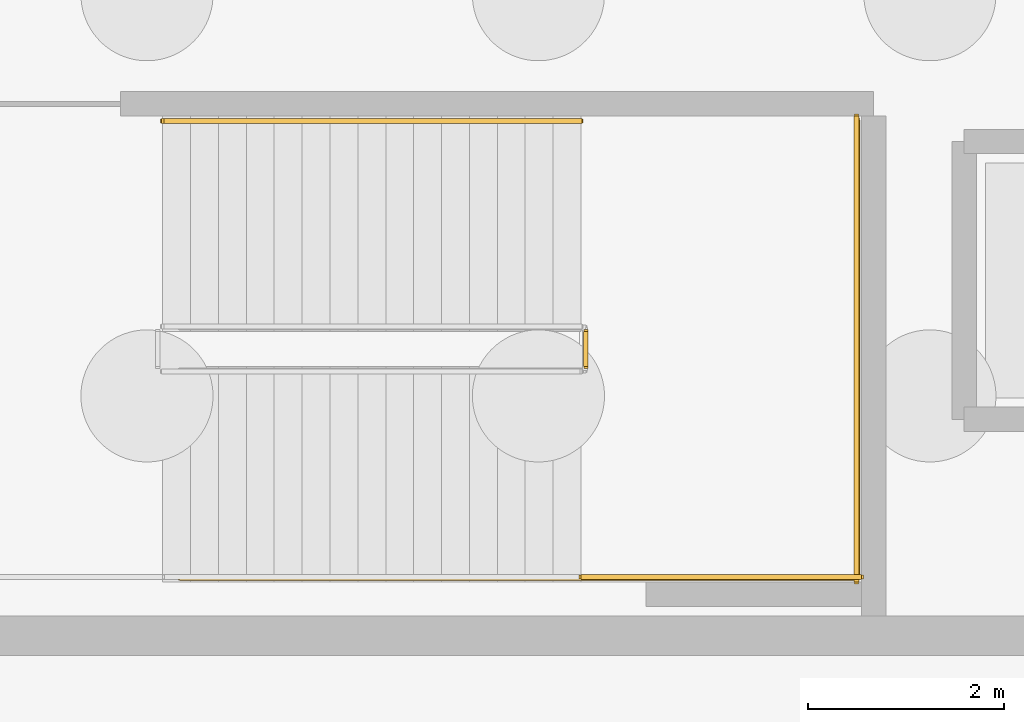
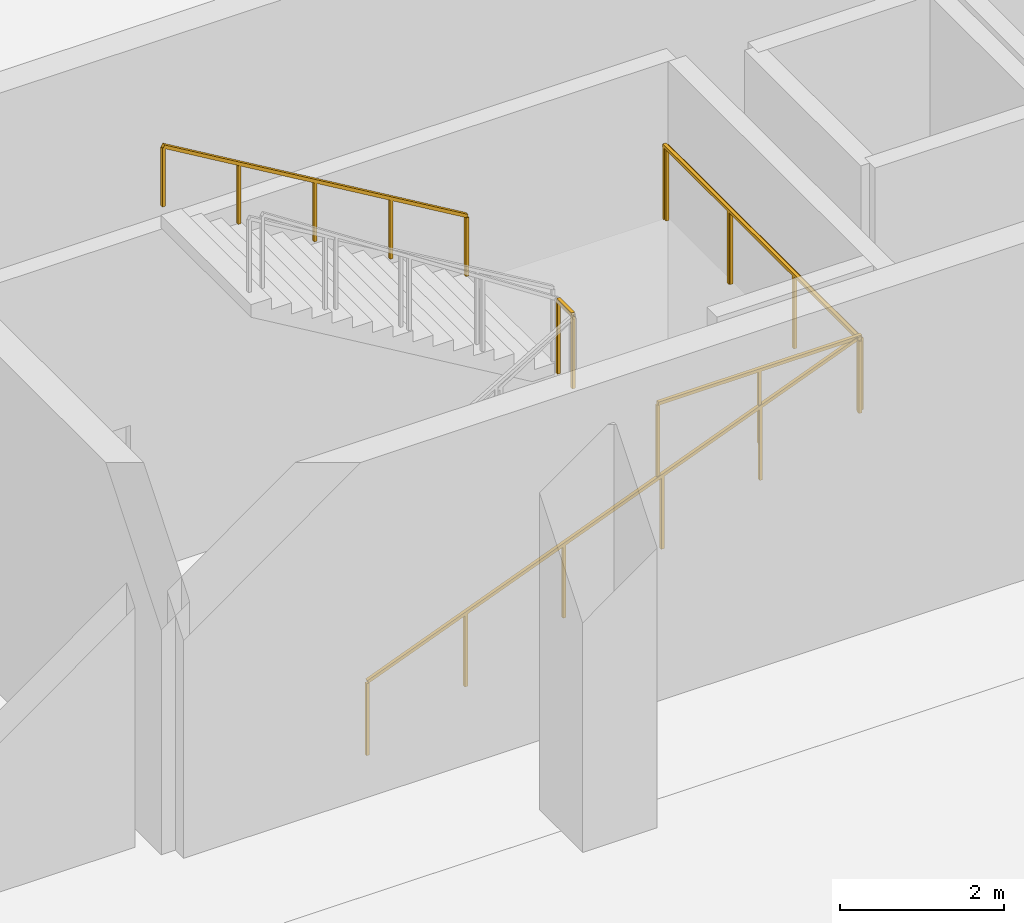
# One storey, part 62 of 65: 5 railings.
"""IFC4 building model written with IfcOpenShell, lengths in metres."""

from ifc_helpers import new_model, si_unit, direction, frame, origin, origin_2d, place, context, subcontext, project, spatial, rectangle, extrude, material, type_object, element, save


model = new_model("IFC4")

# Units and contexts
model_context = context("Model", 3, precision=1e-05, world=origin(), true_north=direction((0.0, 1.0)))
body_context = subcontext(model_context, "Body", "Model", "MODEL_VIEW")
ifc_project = project(units=[si_unit("LENGTHUNIT", "METRE"), si_unit("AREAUNIT", "SQUARE_METRE"), si_unit("VOLUMEUNIT", "CUBIC_METRE"), si_unit("PLANEANGLEUNIT", "RADIAN"), si_unit("MASSUNIT", "GRAM", prefix="KILO")], contexts=[model_context])

# Site, building, storey
site_placement = place(None, origin())
site = spatial("IfcSite", under=ifc_project, at=site_placement, CompositionType="ELEMENT")
building_placement = place(site_placement, origin())
building = spatial("IfcBuilding", under=site, at=building_placement, Name="Khorjan Park Terminus", CompositionType="ELEMENT")
storey_placement = place(building_placement, frame((0.0, 0.0, -5.4)))
storey = spatial("IfcBuildingStorey", under=building, at=storey_placement, Name="B1", CompositionType="ELEMENT", Elevation=-5.4)

# Railings
ifc_material = material(Name="Steel S355", Category="steel")
railing_type_1 = type_object("IfcRailingType", Name="GR-112", PredefinedType="GUARDRAIL", material=ifc_material)
railing_1_placement = place(storey_placement, frame((122.385, 30.75, 2.7)))
element("IfcRailing", 1, at=railing_1_placement, inside=storey, type_object=railing_type_1, Name="B1 ST-02 stair guard 2", PredefinedType="GUARDRAIL", context=body_context, shape_type="SweptSolid", body=[
    extrude(rectangle(XDim=0.048, YDim=0.048, at=origin_2d()), frame((0.0, 0.0, 1.096), z_axis=(0.0, 1.0, 0.0), x_axis=(-1.0, 0.0, 0.0)), (0.0, 0.0, 1.0), 0.36),
    extrude(rectangle(XDim=0.042, YDim=0.042, at=origin_2d()), origin(), (0.0, 0.0, 1.0), 1.072),
    extrude(rectangle(XDim=0.042, YDim=0.042, at=origin_2d()), frame((0.0, 0.36, 0.0)), (0.0, 0.0, 1.0), 1.072),
])
railing_2_placement = place(storey_placement, frame((122.335, 28.6, 2.7)))
element("IfcRailing", 2, at=railing_2_placement, inside=storey, type_object=railing_type_1, Name="B1 ST-02 stair guard 3", PredefinedType="GUARDRAIL", context=body_context, shape_type="SweptSolid", body=[
    extrude(rectangle(XDim=0.048, YDim=0.048, at=origin_2d()), frame((0.0, 0.0, 1.096), z_axis=(1.0, 0.0, 0.0), x_axis=(0.0, 1.0, 0.0)), (0.0, 0.0, 1.0), 2.865),
    extrude(rectangle(XDim=0.042, YDim=0.042, at=origin_2d()), origin(), (0.0, 0.0, 1.0), 1.072),
    extrude(rectangle(XDim=0.042, YDim=0.042, at=origin_2d()), frame((1.4325, 0.0, 0.0)), (0.0, 0.0, 1.0), 1.072),
    extrude(rectangle(XDim=0.042, YDim=0.042, at=origin_2d()), frame((2.865, 0.0, 0.0)), (0.0, 0.0, 1.0), 1.072),
])
railing_3_placement = place(storey_placement, frame((125.15, 28.55, 2.7)))
element("IfcRailing", 3, at=railing_3_placement, inside=storey, type_object=railing_type_1, Name="B1 ST-02 stair guard 4", PredefinedType="GUARDRAIL", context=body_context, shape_type="SweptSolid", body=[
    extrude(rectangle(XDim=0.048, YDim=0.048, at=origin_2d()), frame((0.0, 0.0, 1.096), z_axis=(0.0, 1.0, 0.0), x_axis=(-1.0, 0.0, 0.0)), (0.0, 0.0, 1.0), 4.76),
    extrude(rectangle(XDim=0.042, YDim=0.042, at=origin_2d()), origin(), (0.0, 0.0, 1.0), 1.072),
    extrude(rectangle(XDim=0.042, YDim=0.042, at=origin_2d()), frame((0.0, 1.5867, 0.0)), (0.0, 0.0, 1.0), 1.072),
    extrude(rectangle(XDim=0.042, YDim=0.042, at=origin_2d()), frame((0.0, 3.1733, 0.0)), (0.0, 0.0, 1.0), 1.072),
    extrude(rectangle(XDim=0.042, YDim=0.042, at=origin_2d()), frame((0.0, 4.76, 0.0)), (0.0, 0.0, 1.0), 1.072),
])
railing_4_placement = place(storey_placement, frame((118.24, 28.59, 0.0)))
element("IfcRailing", 4, at=railing_4_placement, inside=storey, type_object=railing_type_1, Name="Core K2 stair side & landing guard GR-112 (B1)", PredefinedType="GUARDRAIL", context=body_context, shape_type="SweptSolid", body=[
    extrude(rectangle(XDim=0.048, YDim=0.048, at=origin_2d()), frame((0.0, 0.0, 1.096), z_axis=(0.931599858197, 0.0, 0.363485493805), x_axis=(0.0, 1.0, 0.0)), (0.0, 0.0, 1.0), 7.4281),
    extrude(rectangle(XDim=0.048, YDim=0.048, at=origin_2d()), frame((6.92, 0.0, 3.796), z_axis=(0.0, 1.0, 0.0), x_axis=(-1.0, 0.0, 0.0)), (0.0, 0.0, 1.0), 4.68),
    extrude(rectangle(XDim=0.042, YDim=0.042, at=origin_2d()), origin(), (0.0, 0.0, 1.0), 1.072),
    extrude(rectangle(XDim=0.042, YDim=0.042, at=origin_2d()), frame((1.384, 0.0, 0.54)), (0.0, 0.0, 1.0), 1.072),
    extrude(rectangle(XDim=0.042, YDim=0.042, at=origin_2d()), frame((2.768, 0.0, 1.08)), (0.0, 0.0, 1.0), 1.072),
    extrude(rectangle(XDim=0.042, YDim=0.042, at=origin_2d()), frame((4.152, 0.0, 1.62)), (0.0, 0.0, 1.0), 1.072),
    extrude(rectangle(XDim=0.042, YDim=0.042, at=origin_2d()), frame((5.536, 0.0, 2.16)), (0.0, 0.0, 1.0), 1.072),
    extrude(rectangle(XDim=0.042, YDim=0.042, at=origin_2d()), frame((6.92, 0.0, 2.7)), (0.0, 0.0, 1.0), 1.072),
    extrude(rectangle(XDim=0.042, YDim=0.042, at=origin_2d()), frame((6.92, 1.56, 2.7)), (0.0, 0.0, 1.0), 1.072),
    extrude(rectangle(XDim=0.042, YDim=0.042, at=origin_2d()), frame((6.92, 3.12, 2.7)), (0.0, 0.0, 1.0), 1.072),
    extrude(rectangle(XDim=0.042, YDim=0.042, at=origin_2d()), frame((6.92, 4.68, 2.7)), (0.0, 0.0, 1.0), 1.072),
])
railing_type_2 = type_object("IfcRailingType", Name="HR-92", PredefinedType="HANDRAIL", material=ifc_material)
railing_5_placement = place(storey_placement, frame((122.335, 33.26, 2.8688)))
element("IfcRailing", 5, at=railing_5_placement, inside=storey, type_object=railing_type_2, Name="B1 ST-02 stair handrail 2", PredefinedType="HANDRAIL", context=body_context, shape_type="SweptSolid", body=[
    extrude(rectangle(XDim=0.048, YDim=0.048, at=origin_2d()), frame((0.0, 0.0, 0.896), z_axis=(-0.860479801158, 0.0, 0.509484555015), x_axis=(0.0, -1.0, 0.0)), (0.0, 0.0, 1.0), 4.9682),
    extrude(rectangle(XDim=0.042, YDim=0.042, at=origin_2d()), origin(), (0.0, 0.0, 1.0), 0.872),
    extrude(rectangle(XDim=0.042, YDim=0.042, at=origin_2d()), frame((-1.0687, 0.0, 0.6328)), (0.0, 0.0, 1.0), 0.872),
    extrude(rectangle(XDim=0.042, YDim=0.042, at=origin_2d()), frame((-2.1375, 0.0, 1.2656)), (0.0, 0.0, 1.0), 0.872),
    extrude(rectangle(XDim=0.042, YDim=0.042, at=origin_2d()), frame((-3.2062, 0.0, 1.8984)), (0.0, 0.0, 1.0), 0.872),
    extrude(rectangle(XDim=0.042, YDim=0.042, at=origin_2d()), frame((-4.275, 0.0, 2.5312)), (0.0, 0.0, 1.0), 0.872),
])

save(model, "model.ifc")
